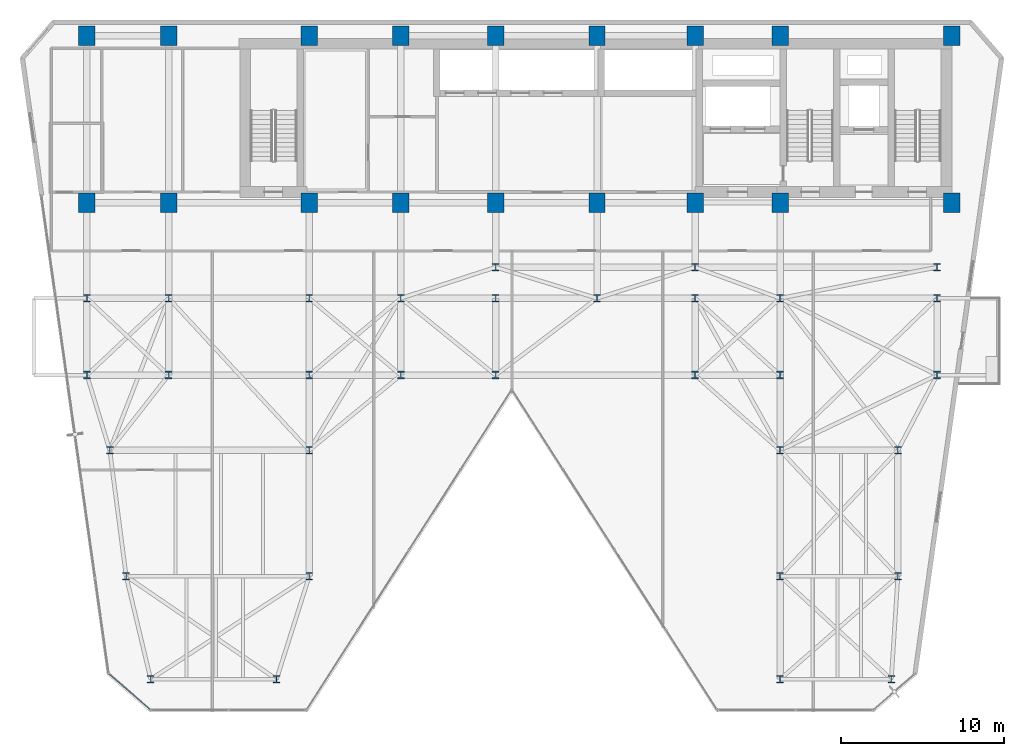
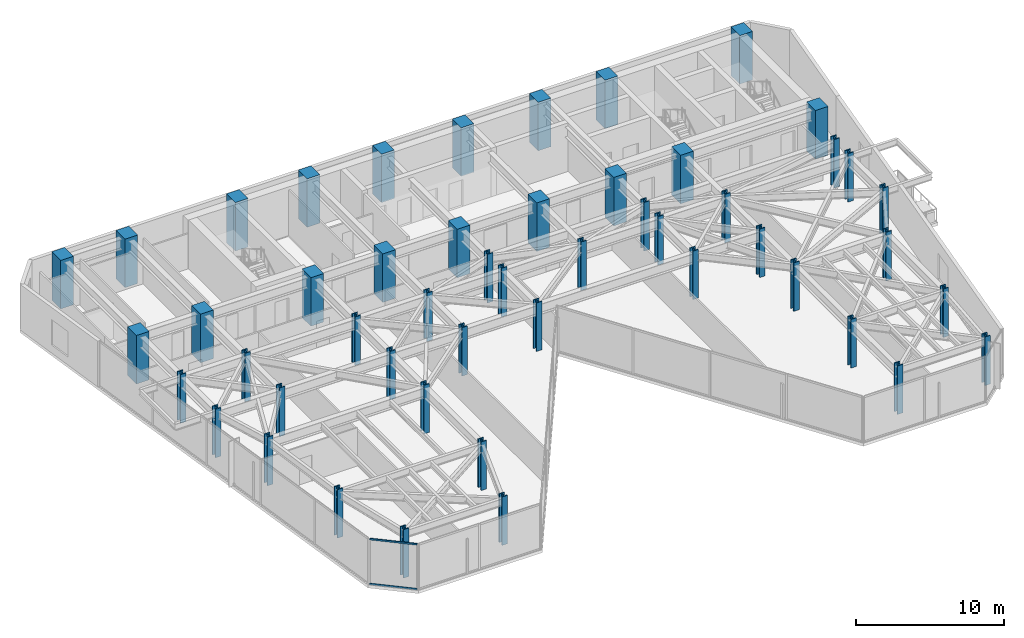
# One storey, part 1 of 26: 50 columns, 2 members, 1 element without a shape of its own.
"""IFC4 building model written with IfcOpenShell, lengths in metres."""

from ifc_helpers import new_model, si_unit, direction, frame, origin, origin_2d, place, context, subcontext, project, spatial, rectangle, hollow_rectangle, i_section, extrude, material, layer, layer_set, material_profile, profile_set, type_object, element, aggregate, save


model = new_model("IFC4")

# Units and contexts
model_context = context("Model", 3, precision=1e-05, world=origin(), true_north=direction((0.0, 1.0)))
body_context = subcontext(model_context, "Body", "Model", "MODEL_VIEW")
ifc_project = project(units=[si_unit("LENGTHUNIT", "METRE"), si_unit("AREAUNIT", "SQUARE_METRE"), si_unit("VOLUMEUNIT", "CUBIC_METRE"), si_unit("PLANEANGLEUNIT", "RADIAN"), si_unit("MASSUNIT", "GRAM", prefix="KILO")], contexts=[model_context])

# Site, building, storey
site_placement = place(None, origin())
site = spatial("IfcSite", under=ifc_project, at=site_placement, CompositionType="ELEMENT")
building_placement = place(site_placement, origin())
building = spatial("IfcBuilding", under=site, at=building_placement, Name="Kravanh Interchange Tower", CompositionType="ELEMENT")
storey_placement = place(building_placement, frame((0.0, 0.0, 100.0)))
storey = spatial("IfcBuildingStorey", under=building, at=storey_placement, Name="L23", CompositionType="ELEMENT", Elevation=100.0)

# Columns
ifc_material_1 = material(Name="Concrete C70/85", Category="concrete")
ifc_material_profile_1 = material_profile(ifc_material_1, rectangle(XDim=1.0, YDim=1.199951171875, at=origin_2d()), Name="RC1000X1200")
ifc_profile_set_1 = profile_set([ifc_material_profile_1], Name="Concrete C70/85")
column_type_1 = type_object("IfcColumnType", Name="Column RC1000X1200 Concrete C70/85", PredefinedType="COLUMN", material=ifc_profile_set_1)
for number, where, z_axis, x_axis, name in (
    (1, (66.5, 47.550048828125, 0.0), (0.0, 0.0, 1.0), (1.0, 0.0, 0.0), "L23 Column CS01"),
    (2, (56.0, 47.550048828125, 0.0), (0.0, 0.0, 1.0), (1.0, 0.0, 0.0), "L23 Column CS02"),
    (3, (66.5, 37.35009765625, 0.0), (0.0, 0.0, 1.0), (1.0, 0.0, 0.0), "L23 Column CS03"),
    (4, (56.0, 37.35009765625, 0.0), (0.0, 0.0, 1.0), (1.0, 0.0, 0.0), "L23 Column CS04"),
    (5, (50.800048828125, 47.550048828125, 0.0), (0.0, 0.0, 1.0), (1.0, 0.0, 0.0), "L23 Column CS05"),
    (6, (50.800048828125, 37.35009765625, 0.0), (0.0, 0.0, 1.0), (1.0, 0.0, 0.0), "L23 Column CS06"),
    (7, (44.800048828125, 37.35009765625, 0.0), (0.0, 0.0, 1.0), (1.0, 0.0, 0.0), "L23 Column CS07"),
    (8, (44.800048828125, 47.550048828125, 0.0), (0.0, 0.0, 1.0), (1.0, 0.0, 0.0), "L23 Column CS08"),
    (9, (38.60009765625, 37.35009765625, 0.0), (0.0, 0.0, 1.0), (1.0, 0.0, 0.0), "L23 Column CS09"),
    (10, (38.60009765625, 47.550048828125, 0.0), (0.0, 0.0, 1.0), (1.0, 0.0, 0.0), "L23 Column CS10"),
    (11, (32.800048828125, 37.35009765625, 0.0), (0.0, 0.0, 1.0), (1.0, 0.0, 0.0), "L23 Column CS11"),
    (12, (32.800048828125, 47.550048828125, 0.0), (0.0, 0.0, 1.0), (1.0, 0.0, 0.0), "L23 Column CS12"),
    (13, (27.199951171875, 37.35009765625, 0.0), (0.0, 0.0, 1.0), (1.0, 0.0, 0.0), "L23 Column CS13"),
    (14, (27.199951171875, 47.550048828125, 0.0), (0.0, 0.0, 1.0), (1.0, 0.0, 0.0), "L23 Column CS14"),
    (15, (18.60009765625, 37.35009765625, 0.0), (0.0, 0.0, 1.0), (1.0, 0.0, 0.0), "L23 Column CS17"),
    (16, (18.60009765625, 47.550048828125, 0.0), (0.0, 0.0, 1.0), (1.0, 0.0, 0.0), "L23 Column CS18"),
    (17, (13.60009765625, 37.35009765625, 0.0), (0.0, 0.0, 1.0), (1.0, 0.0, 0.0), "L23 Column CS19"),
    (18, (13.60009765625, 47.550048828125, 0.0), (0.0, 0.0, 1.0), (1.0, 0.0, 0.0), "L23 Column CS20"),
):
    element("IfcColumn", number, at=place(storey_placement, frame(where, z_axis=z_axis, x_axis=x_axis)), inside=storey, type_object=column_type_1, Name=name, PredefinedType="COLUMN", context=body_context, shape_type="SweptSolid", body=[
        extrude(rectangle(XDim=1.0, YDim=1.199951171875, at=origin_2d()), origin(), (0.0, 0.0, 1.0), 4.0),
    ])
ifc_material_2 = material(Name="Structural Steel S450", Category="steel")
ifc_material_profile_2 = material_profile(ifc_material_2, i_section(OverallWidth=0.424072265625, OverallDepth=0.47412109375, WebThickness=0.047607421875, FlangeThickness=0.0771484375, FilletRadius=0.030029296875, at=origin_2d()), Name="W14X426")
ifc_profile_set_2 = profile_set([ifc_material_profile_2], Name="Structural Steel S450")
column_type_2 = type_object("IfcColumnType", Name="Column W14X426 Structural Steel S450", PredefinedType="COLUMN", material=ifc_profile_set_2)
for number, where, z_axis, x_axis, name in (
    (19, (17.5, 8.199951171875, 0.0), (0.0, 0.0, 1.0), (1.0, 0.0, 0.0), "L23 Column CZ2_1"),
    (20, (13.60009765625, 26.800048828125, 0.0), (0.0, 0.0, 1.0), (1.0, 0.0, 0.0), "L23 Column CZ2_11"),
    (21, (18.60009765625, 26.800048828125, 0.0), (0.0, 0.0, 1.0), (1.0, 0.0, 0.0), "L23 Column CZ2_12"),
    (22, (27.199951171875, 26.800048828125, 0.0), (0.0, 0.0, 1.0), (1.0, 0.0, 0.0), "L23 Column CZ2_13"),
    (23, (32.800048828125, 26.800048828125, 0.0), (0.0, 0.0, 1.0), (1.0, 0.0, 0.0), "L23 Column CZ2_14"),
    (24, (38.60009765625, 26.800048828125, 0.0), (0.0, 0.0, 1.0), (1.0, 0.0, 0.0), "L23 Column CZ2_14B"),
    (25, (50.800048828125, 26.800048828125, 0.0), (0.0, 0.0, 1.0), (1.0, 0.0, 0.0), "L23 Column CZ2_15"),
    (26, (56.0, 26.800048828125, 0.0), (0.0, 0.0, 1.0), (1.0, 0.0, 0.0), "L23 Column CZ2_16"),
    (27, (65.60009765625, 26.800048828125, 0.0), (0.0, 0.0, 1.0), (1.0, 0.0, 0.0), "L23 Column CZ2_17"),
    (28, (13.60009765625, 31.5, 0.0), (0.0, 0.0, 1.0), (1.0, 0.0, 0.0), "L23 Column CZ2_18"),
    (29, (18.60009765625, 31.5, 0.0), (0.0, 0.0, 1.0), (1.0, 0.0, 0.0), "L23 Column CZ2_18B"),
    (30, (27.199951171875, 31.5, 0.0), (0.0, 0.0, 1.0), (1.0, 0.0, 0.0), "L23 Column CZ2_19"),
    (31, (25.199951171875, 8.199951171875, 0.0), (0.0, 0.0, 1.0), (1.0, 0.0, 0.0), "L23 Column CZ2_2"),
    (32, (32.800048828125, 31.5, 0.0), (0.0, 0.0, 1.0), (1.0, 0.0, 0.0), "L23 Column CZ2_20"),
    (33, (38.60009765625, 31.5, 0.0), (0.0, 0.0, 1.0), (1.0, 0.0, 0.0), "L23 Column CZ2_21"),
    (34, (44.800048828125, 31.5, 0.0), (0.0, 0.0, 1.0), (1.0, 0.0, 0.0), "L23 Column CZ2_22"),
    (35, (50.800048828125, 31.5, 0.0), (0.0, 0.0, 1.0), (1.0, 0.0, 0.0), "L23 Column CZ2_23"),
    (36, (56.0, 31.5, 0.0), (0.0, 0.0, 1.0), (1.0, 0.0, 0.0), "L23 Column CZ2_24"),
    (37, (65.60009765625, 31.5, 0.0), (0.0, 0.0, 1.0), (1.0, 0.0, 0.0), "L23 Column CZ2_25"),
    (38, (56.0, 8.199951171875, 0.0), (0.0, 0.0, 1.0), (1.0, 0.0, 0.0), "L23 Column CZ2_3"),
    (39, (62.800048828125, 8.199951171875, 0.0), (0.0, 0.0, 1.0), (1.0, 0.0, 0.0), "L23 Column CZ2_4"),
    (40, (16.0, 14.5, 0.0), (0.0, 0.0, 1.0), (1.0, 0.0, 0.0), "L23 Column CZ2_5"),
    (41, (27.199951171875, 14.5, 0.0), (0.0, 0.0, 1.0), (1.0, 0.0, 0.0), "L23 Column CZ2_5B"),
    (42, (56.0, 14.5, 0.0), (0.0, 0.0, 1.0), (1.0, 0.0, 0.0), "L23 Column CZ2_5C"),
    (43, (63.199951171875, 14.5, 0.0), (0.0, 0.0, 1.0), (1.0, 0.0, 0.0), "L23 Column CZ2_5D"),
    (44, (15.0, 22.199951171875, 0.0), (0.0, 0.0, 1.0), (1.0, 0.0, 0.0), "L23 Column CZ2_6"),
    (45, (27.199951171875, 22.199951171875, 0.0), (0.0, 0.0, 1.0), (1.0, 0.0, 0.0), "L23 Column CZ2_7"),
    (46, (56.0, 22.199951171875, 0.0), (0.0, 0.0, 1.0), (1.0, 0.0, 0.0), "L23 Column CZ2_8"),
    (47, (63.199951171875, 22.199951171875, 0.0), (0.0, 0.0, 1.0), (1.0, 0.0, 0.0), "L23 Column CZ2_9"),
    (48, (38.60009765625, 33.39990234375, 0.0), (0.0, 0.0, 1.0), (1.0, 0.0, 0.0), "L23 Column CZ2_M1"),
    (49, (50.800048828125, 33.39990234375, 0.0), (0.0, 0.0, 1.0), (1.0, 0.0, 0.0), "L23 Column CZ2_M2"),
    (50, (65.60009765625, 33.39990234375, 0.0), (0.0, 0.0, 1.0), (1.0, 0.0, 0.0), "L23 Column CZ2_M3"),
):
    element("IfcColumn", number, at=place(storey_placement, frame(where, z_axis=z_axis, x_axis=x_axis)), inside=storey, type_object=column_type_2, Name=name, PredefinedType="COLUMN", context=body_context, shape_type="SweptSolid", body=[
        extrude(i_section(OverallWidth=0.424072265625, OverallDepth=0.47412109375, WebThickness=0.047607421875, FlangeThickness=0.0771484375, FilletRadius=0.030029296875, at=origin_2d()), origin(), (0.0, 0.0, 1.0), 4.0),
    ])

# Curtain wall, members
ifc_material_3 = material(Name="Anodised Bronze Aluminium", Category="aluminium")
ifc_layer = layer(ifc_material_3, 0.179931640625)
ifc_layer_set = layer_set([ifc_layer], Name="Unitised Curtain Wall System CW-Z2 Mid Office")
curtain_wall_type = type_object("IfcCurtainWallType", Name="Unitised Curtain Wall System CW-Z2 Mid Office", PredefinedType="NOTDEFINED", material=ifc_layer_set)
curtain_wall_placement = place(storey_placement, origin())
curtain_wall = element("IfcCurtainWall", 51, at=curtain_wall_placement, inside=storey, type_object=curtain_wall_type, Name="L23 Unitised Curtain Wall CW-L23-07", PredefinedType="NOTDEFINED")
ifc_material_4 = material(Name="Anodised Bronze Aluminium", Category="aluminium")
ifc_material_profile_3 = material_profile(ifc_material_4, hollow_rectangle(XDim=0.06005859375, YDim=0.139892578125, WallThickness=0.00390625, at=origin_2d()), Name="ALU60X140X4")
ifc_profile_set_3 = profile_set([ifc_material_profile_3], Name="Anodised Bronze Aluminium")
member_type = type_object("IfcMemberType", Name="Curtain Wall Transom ALU60X140X4 Bronze", PredefinedType="USERDEFINED", material=ifc_profile_set_3)
member_1_placement = place(storey_placement, frame((17.444580078125, 6.359375, 0.030029296875), z_axis=(-0.754742467432, 0.656021194669, 0.0), x_axis=(-0.656021194669, -0.754742467432, 0.0)))
member_1 = element("IfcMember", 52, at=member_1_placement, type_object=member_type, Name="CW-Z2 transom 1.1", ObjectType="TRANSOM", PredefinedType="USERDEFINED", context=body_context, shape_type="SweptSolid", body=[
    extrude(hollow_rectangle(XDim=0.06005859375, YDim=0.139892578125, WallThickness=0.00390625, at=origin_2d()), origin(), (0.0, 0.0, 1.0), 3.261962890625),
])
member_2_placement = place(storey_placement, frame((17.444580078125, 6.359375, 3.719970703125), z_axis=(-0.754742467432, 0.656021194669, 0.0), x_axis=(-0.656021194669, -0.754742467432, 0.0)))
member_2 = element("IfcMember", 53, at=member_2_placement, type_object=member_type, Name="CW-Z2 transom 1.2", ObjectType="TRANSOM", PredefinedType="USERDEFINED", context=body_context, shape_type="SweptSolid", body=[
    extrude(hollow_rectangle(XDim=0.06005859375, YDim=0.139892578125, WallThickness=0.00390625, at=origin_2d()), origin(), (0.0, 0.0, 1.0), 3.261962890625),
])
aggregate(curtain_wall, [member_1, member_2])

save(model, "model.ifc")
